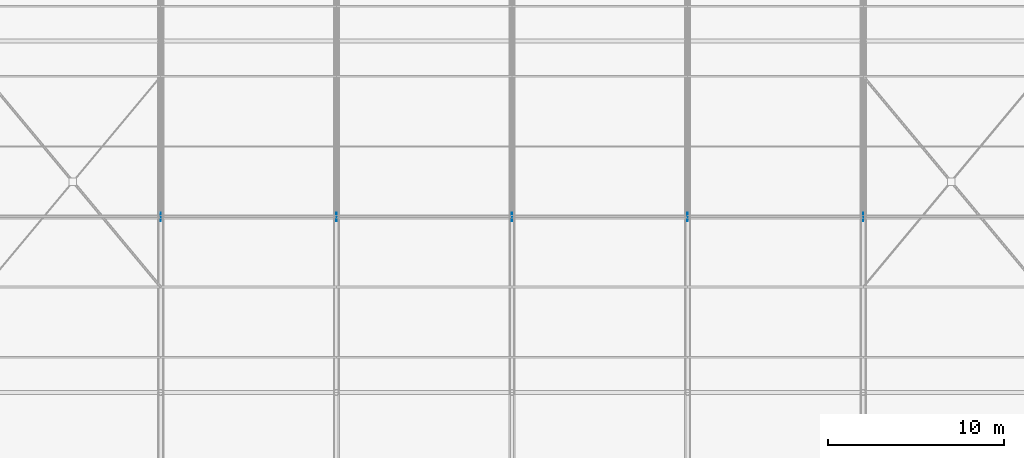
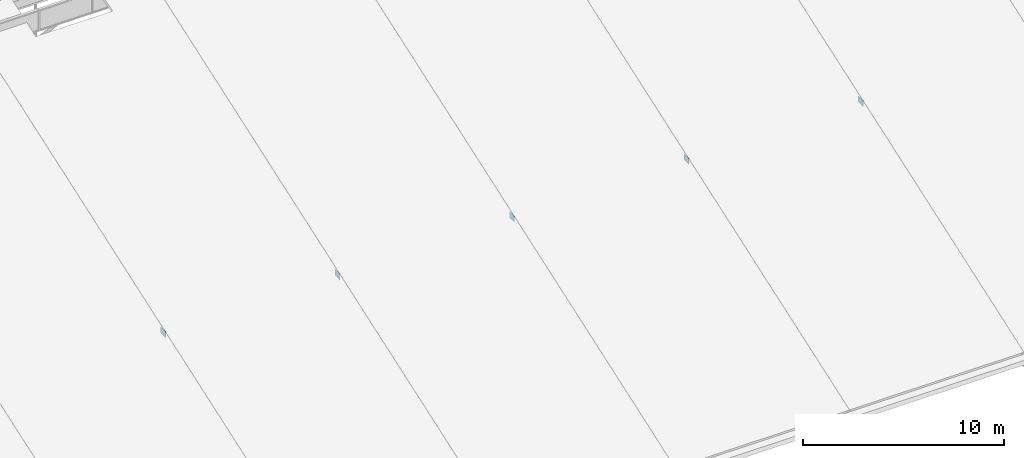
# One storey, part 85 of 93: 5 plates.
"""IFC4 building model written with IfcOpenShell, lengths in metres."""

from ifc_helpers import new_model, si_unit, derived_unit, direction, frame, origin, origin_2d_with_axis, place, context, subcontext, project, spatial, rectangle, extrude, material, layer, layer_set, type_object, element, save


model = new_model("IFC4")

# Units and contexts
model_context = context("Model", 3, precision=1e-05, world=origin(), true_north=direction((0.0, 1.0)))
body_context = subcontext(model_context, "Body", "Model", "MODEL_VIEW")
ifc_project = project(units=[si_unit("LENGTHUNIT", "METRE"), si_unit("AREAUNIT", "SQUARE_METRE"), si_unit("VOLUMEUNIT", "CUBIC_METRE"), si_unit("PLANEANGLEUNIT", "RADIAN"), si_unit("MASSUNIT", "GRAM", prefix="KILO"), derived_unit("THERMALTRANSMITTANCEUNIT", [(si_unit("POWERUNIT", "WATT"), 1), (si_unit("LENGTHUNIT", "METRE"), -2), (si_unit("THERMODYNAMICTEMPERATUREUNIT", "KELVIN"), -1)])], contexts=[model_context])

# Site, building, storey
site_placement = place(None, origin())
site = spatial("IfcSite", under=ifc_project, at=site_placement, CompositionType="ELEMENT")
building_placement = place(site_placement, origin())
building = spatial("IfcBuilding", under=site, at=building_placement, Name="Cinnabar Yard Market Hall", CompositionType="ELEMENT")
storey_placement = place(building_placement, frame((0.0, 0.0, 23.800048828125)))
storey = spatial("IfcBuildingStorey", under=building, at=storey_placement, Name="ROOF", CompositionType="ELEMENT", Elevation=23.800048828125)

# Plates
ifc_material = material(Name="Steel Grade 350 (350 MPa)", Category="steel")
ifc_layer = layer(ifc_material, 0.360107421875)
ifc_layer_set = layer_set([ifc_layer], Name="Steel Grade 350 (350 MPa)")
plate_type = type_object("IfcPlateType", Name="PL-NP12", PredefinedType="SHEET", material=ifc_layer_set)
for number, where, z_axis, x_axis, name in (
    (1, (96.0, 24.0, -3.94140625), (0.0, 0.0, 1.0), (1.0, 0.0, 0.0), "Truss Node Gusset 96-1"),
    (2, (106.0, 24.0, -3.94140625), (0.0, 0.0, 1.0), (1.0, 0.0, 0.0), "Truss Node Gusset 106-1"),
    (3, (116.0, 24.0, -3.94140625), (0.0, 0.0, 1.0), (1.0, 0.0, 0.0), "Truss Node Gusset 116-1"),
    (4, (126.0, 24.0, -3.94140625), (0.0, 0.0, 1.0), (1.0, 0.0, 0.0), "Truss Node Gusset 126-1"),
    (5, (136.0, 24.0, -3.94140625), (0.0, 0.0, 1.0), (1.0, 0.0, 0.0), "Truss Node Gusset 136-1"),
):
    element("IfcPlate", number, at=place(storey_placement, frame(where, z_axis=z_axis, x_axis=x_axis)), inside=storey, type_object=plate_type, Name=name, PredefinedType="SHEET", context=body_context, shape_type="SweptSolid", body=[
        extrude(rectangle(XDim=0.02001953125, YDim=0.47998046875, at=origin_2d_with_axis()), origin(), (0.0, 0.0, 1.0), 0.360107421875),
    ])

save(model, "model.ifc")
